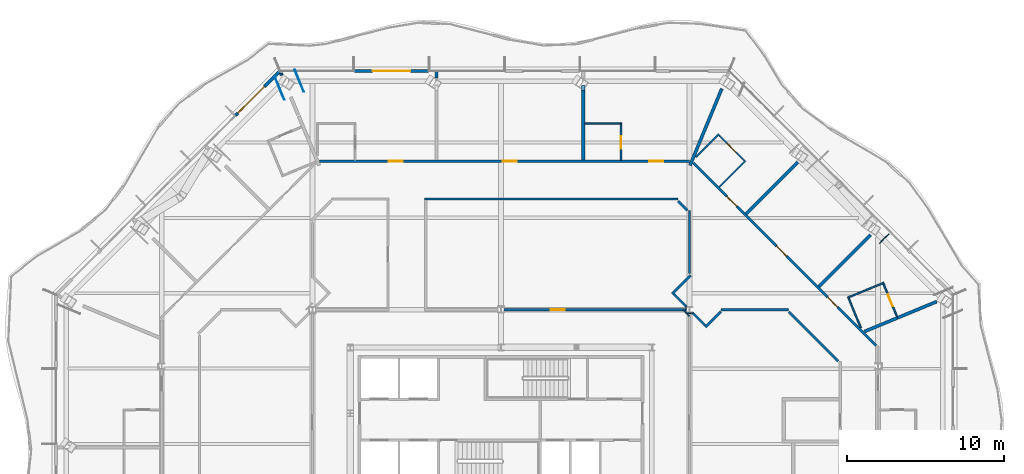
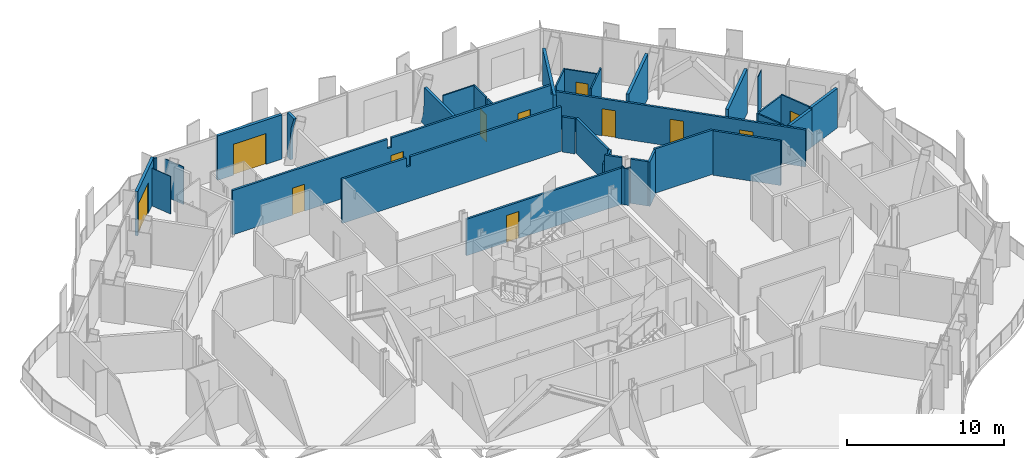
# One storey, part 13 of 22: 36 walls, 12 doors, 12 openings.
"""IFC4 building model written with IfcOpenShell, lengths in metres."""

from ifc_helpers import new_model, si_unit, direction, frame, frame_2d, origin, place, context, subcontext, project, spatial, polyline, rectangle, outline, extrude, material, layer, layer_set, type_object, element, fill, save


model = new_model("IFC4")

# Units and contexts
model_context = context("Model", 3, precision=1e-05, world=origin(), true_north=direction((0.0, 1.0)))
body_context = subcontext(model_context, "Body", "Model", "MODEL_VIEW")
ifc_project = project(units=[si_unit("LENGTHUNIT", "METRE"), si_unit("AREAUNIT", "SQUARE_METRE"), si_unit("VOLUMEUNIT", "CUBIC_METRE"), si_unit("PLANEANGLEUNIT", "RADIAN"), si_unit("MASSUNIT", "GRAM", prefix="KILO")], contexts=[model_context])

# Site, building, storey
site_placement = place(None, origin())
site = spatial("IfcSite", under=ifc_project, at=site_placement, CompositionType="ELEMENT")
building_placement = place(site_placement, origin())
building = spatial("IfcBuilding", under=site, at=building_placement, Name="Cairn Pilgrim Tower", CompositionType="ELEMENT")
storey_placement = place(building_placement, frame((0.0, 0.0, 175.800048828125)))
storey = spatial("IfcBuildingStorey", under=building, at=storey_placement, Name="L44", CompositionType="ELEMENT", Elevation=175.800048828125)

# Wall, opening, door
ifc_material_1 = material(Name="Bronze anodised aluminium insulated sandwich panel with mineral wool fill", Category="aluminium")
ifc_layer_1 = layer(ifc_material_1, 0.199951171875)
ifc_layer_set_1 = layer_set([ifc_layer_1], Name="BRONZE INFILL FRAME WALL 200")
wall_type_1 = type_object("IfcWallType", Name="BRONZE INFILL FRAME WALL 200", PredefinedType="NOTDEFINED", material=ifc_layer_set_1)
wall_1_placement = place(storey_placement, frame((2.594970703125, 28.39990234375, 0.0), z_axis=(0.0, 0.0, 1.0), x_axis=(-1.0, 0.0, 0.0)))
wall_1 = element("IfcWall", 1, at=wall_1_placement, inside=storey, type_object=wall_type_1, Name="Bronze infill frame wall IW-N5", PredefinedType="NOTDEFINED", context=body_context, shape_type="SweptSolid", body=[
    extrude(rectangle(XDim=4.739990234375, YDim=0.199951171875, at=frame_2d((2.3701171875, 0.0))), origin(), (0.0, 0.0, 1.0), 3.449951171875),
])
opening_1_placement = place(wall_1_placement, frame((1.170166015625, 0.0, 0.0)))
opening_1 = element("IfcOpeningElement", 2, at=opening_1_placement, cuts=wall_1, Name="Opening 4412B", PredefinedType="OPENING", context=body_context, shape_type="SweptSolid", body=[
    extrude(rectangle(XDim=2.39990234375, YDim=2.39990234375, at=frame_2d((1.199951171875, 1.199951171875))), frame((0.0, 0.10986328125, 0.0), z_axis=(0.0, -1.0, 0.0), x_axis=(1.0, 0.0, 0.0)), (0.0, 0.0, 1.0), 0.219970703125),
])
ifc_material_2 = material(Name="Bronze anodised aluminium frame with tinted low-E glass", Category="aluminium")
door_type_1 = type_object("IfcDoorType", Name="BALCONY SLIDING DOOR 2400x2400", OperationType="DOUBLE_DOOR_SLIDING", PredefinedType="DOOR", material=ifc_material_2)
door_1_placement = place(opening_1_placement, origin())
door_1 = element("IfcDoor", 3, at=door_1_placement, inside=storey, type_object=door_type_1, Name="Balcony sliding door 4412B", OperationType="SINGLE_SWING_LEFT", OverallHeight=2.39990234375, OverallWidth=2.39990234375, PredefinedType="DOOR", context=body_context, shape_type="SweptSolid", body=[
    extrude(rectangle(XDim=2.39990234375, YDim=2.39990234375, at=frame_2d((1.199951171875, 1.199951171875))), frame((0.0, 0.02490234375, 0.0), z_axis=(0.0, -1.0, 0.0), x_axis=(1.0, 0.0, 0.0)), (0.0, 0.0, 1.0), 0.050048828125),
])
fill(opening_1, door_1)

wall_2_placement = place(storey_placement, frame((-6.899658203125, 28.371826171875, 0.0), z_axis=(0.0, 0.0, 1.0), x_axis=(-0.707106781187, -0.707106781187, 0.0)))
wall_2 = element("IfcWall", 4, at=wall_2_placement, inside=storey, type_object=wall_type_1, Name="Bronze infill frame wall IW-NW1", PredefinedType="NOTDEFINED", context=body_context, shape_type="SweptSolid", body=[
    extrude(rectangle(XDim=3.961669921875, YDim=0.199951171875, at=frame_2d((1.98095703125, 0.0))), origin(), (0.0, 0.0, 1.0), 3.449951171875),
])
opening_2_placement = place(wall_2_placement, frame((1.361572265625, 0.0, 0.0)))
opening_2 = element("IfcOpeningElement", 5, at=opening_2_placement, cuts=wall_2, Name="Opening 4413B", PredefinedType="OPENING", context=body_context, shape_type="SweptSolid", body=[
    extrude(rectangle(XDim=2.39990234375, YDim=2.39990234375, at=frame_2d((1.199951171875, 1.199951171875))), frame((0.0, 0.10986328125, 0.0), z_axis=(0.0, -1.0, 0.0), x_axis=(1.0, 0.0, 0.0)), (0.0, 0.0, 1.0), 0.219970703125),
])
door_2_placement = place(opening_2_placement, origin())
door_2 = element("IfcDoor", 6, at=door_2_placement, inside=storey, type_object=door_type_1, Name="Balcony sliding door 4413B", OperationType="SINGLE_SWING_LEFT", OverallHeight=2.39990234375, OverallWidth=2.39990234375, PredefinedType="DOOR", context=body_context, shape_type="SweptSolid", body=[
    extrude(rectangle(XDim=2.39990234375, YDim=2.39990234375, at=frame_2d((1.199951171875, 1.199951171875))), frame((0.0, 0.02490234375, 0.0), z_axis=(0.0, -1.0, 0.0), x_axis=(1.0, 0.0, 0.0)), (0.0, 0.0, 1.0), 0.050048828125),
])
fill(opening_2, door_2)

# Wall
ifc_material_3 = material(Name="Gypsum partition")
ifc_layer_2 = layer(ifc_material_3, 0.10009765625)
ifc_layer_set_2 = layer_set([ifc_layer_2], Name="PARTITION 100 DRYWALL")
wall_type_2 = type_object("IfcWallType", Name="PARTITION 100 DRYWALL", PredefinedType="PARTITIONING", material=ifc_layer_set_2)
wall_3_placement = place(storey_placement, frame((30.10400390625, 12.0576171875, 0.0), z_axis=(0.0, 0.0, 1.0), x_axis=(-0.382627570994, 0.92390266907, 0.0)))
element("IfcWall", 7, at=wall_3_placement, inside=storey, type_object=wall_type_2, Name="PARTITION W077", PredefinedType="PARTITIONING", context=body_context, shape_type="SweptSolid", body=[
    extrude(rectangle(XDim=2.032958984375, YDim=0.10009765625, at=frame_2d((1.0166015625, 0.0))), origin(), (0.0, 0.0, 1.0), 2.8798828125),
])

# Wall, opening, door
wall_4_placement = place(storey_placement, frame((32.40380859375, 12.775390625, 0.0), z_axis=(0.0, 0.0, 1.0), x_axis=(-0.382572259818, 0.923925573852, 0.0)))
wall_4 = element("IfcWall", 8, at=wall_4_placement, inside=storey, type_object=wall_type_2, Name="PARTITION W082", PredefinedType="PARTITIONING", context=body_context, shape_type="SweptSolid", body=[
    extrude(rectangle(XDim=2.24951171875, YDim=0.10009765625, at=frame_2d((1.124755859375, 0.0))), origin(), (0.0, 0.0, 1.0), 3.070068359375),
])
opening_3_placement = place(wall_4_placement, frame((0.699951171875, 0.0, 0.0)))
opening_3 = element("IfcOpeningElement", 9, at=opening_3_placement, cuts=wall_4, Name="Opening 4407A", PredefinedType="OPENING", context=body_context, shape_type="SweptSolid", body=[
    extrude(rectangle(XDim=0.800048828125, YDim=2.10009765625, at=frame_2d((0.39990234375, 1.050048828125))), frame((0.0, 0.06005859375, 0.0), z_axis=(0.0, -1.0, 0.0), x_axis=(1.0, 0.0, 0.0)), (0.0, 0.0, 1.0), 0.1201171875),
])
ifc_material_4 = material(Name="Timber door leaf", Category="wood")
door_type_2 = type_object("IfcDoorType", Name="WC DOOR 800x2100", OperationType="NOTDEFINED", PredefinedType="DOOR", material=ifc_material_4)
door_3_placement = place(opening_3_placement, frame((0.800048828125, 0.0, 0.0), z_axis=(0.0, 0.0, 1.0), x_axis=(-1.0, 0.0, 0.0)))
door_3 = element("IfcDoor", 10, at=door_3_placement, inside=storey, type_object=door_type_2, Name="DOOR 4407A", OperationType="SINGLE_SWING_RIGHT", OverallHeight=2.10009765625, OverallWidth=0.800048828125, PredefinedType="DOOR", context=body_context, shape_type="SweptSolid", body=[
    extrude(rectangle(XDim=0.800048828125, YDim=2.10009765625, at=frame_2d((0.39990234375, 1.050048828125))), frame((0.0, 0.02490234375, 0.0), z_axis=(0.0, -1.0, 0.0), x_axis=(1.0, 0.0, 0.0)), (0.0, 0.0, 1.0), 0.050048828125),
])
fill(opening_3, door_3)

# Walls
wall_5_placement = place(storey_placement, frame((29.2607421875, 13.962890625, 0.0), z_axis=(0.0, 0.0, 1.0), x_axis=(0.923929949387, 0.382561692574, 0.0)))
element("IfcWall", 11, at=wall_5_placement, inside=storey, type_object=wall_type_2, Name="PARTITION W093", PredefinedType="PARTITIONING", context=body_context, shape_type="SweptSolid", body=[
    extrude(rectangle(XDim=2.499755859375, YDim=0.10009765625, at=frame_2d((1.25, 0.0))), origin(), (0.0, 0.0, 1.0), 2.929931640625),
])
wall_6_placement = place(storey_placement, frame((21.090087890625, 21.006103515625, 0.0), z_axis=(0.0, 0.0, 1.0), x_axis=(0.707106781187, 0.707106781187, 0.0)))
element("IfcWall", 12, at=wall_6_placement, inside=storey, type_object=wall_type_2, Name="PARTITION W109", PredefinedType="PARTITIONING", context=body_context, shape_type="SweptSolid", body=[
    extrude(rectangle(XDim=2.374755859375, YDim=0.10009765625, at=frame_2d((1.1875, 0.0))), origin(), (0.0, 0.0, 1.0), 3.449951171875),
])

# Wall, opening, door
wall_7_placement = place(storey_placement, frame((14.837890625, 22.72509765625, 0.0), z_axis=(0.0, 0.0, 1.0), x_axis=(0.0, 1.0, 0.0)))
wall_7 = element("IfcWall", 13, at=wall_7_placement, inside=storey, type_object=wall_type_2, Name="PARTITION W118", PredefinedType="PARTITIONING", context=body_context, shape_type="SweptSolid", body=[
    extrude(outline(polyline([(0.0, 0.0), (2.27490234375, 0.0), (2.27490234375, 3.449951171875), (0.780029296875, 3.449951171875), (0.778076171875, 2.8798828125), (0.570068359375, 2.8798828125), (0.568115234375, 3.449951171875), (0.0, 3.449951171875), (0.0, 0.0)])), frame((0.0, 0.050048828125, 0.0), z_axis=(0.0, -1.0, 0.0), x_axis=(1.0, 0.0, 0.0)), (0.0, 0.0, 1.0), 0.10009765625),
])
opening_4_placement = place(wall_7_placement, frame((0.72509765625, 0.0, 0.0)))
opening_4 = element("IfcOpeningElement", 14, at=opening_4_placement, cuts=wall_7, Name="Opening 4410A", PredefinedType="OPENING", context=body_context, shape_type="SweptSolid", body=[
    extrude(rectangle(XDim=0.800048828125, YDim=2.10009765625, at=frame_2d((0.39990234375, 1.050048828125))), frame((0.0, 0.06005859375, 0.0), z_axis=(0.0, -1.0, 0.0), x_axis=(1.0, 0.0, 0.0)), (0.0, 0.0, 1.0), 0.1201171875),
])
door_4_placement = place(opening_4_placement, frame((0.800048828125, 0.0, 0.0), z_axis=(0.0, 0.0, 1.0), x_axis=(-1.0, 0.0, 0.0)))
door_4 = element("IfcDoor", 15, at=door_4_placement, inside=storey, type_object=door_type_2, Name="DOOR 4410A", OperationType="SINGLE_SWING_LEFT", OverallHeight=2.10009765625, OverallWidth=0.800048828125, PredefinedType="DOOR", context=body_context, shape_type="SweptSolid", body=[
    extrude(rectangle(XDim=0.800048828125, YDim=2.10009765625, at=frame_2d((0.39990234375, 1.050048828125))), frame((0.0, 0.02490234375, 0.0), z_axis=(0.0, -1.0, 0.0), x_axis=(1.0, 0.0, 0.0)), (0.0, 0.0, 1.0), 0.050048828125),
])
fill(opening_4, door_4)

wall_8_placement = place(storey_placement, frame((22.698486328125, 22.685302734375, 0.0), z_axis=(0.0, 0.0, 1.0), x_axis=(-0.707053697085, 0.707159861304, 0.0)))
wall_8 = element("IfcWall", 16, at=wall_8_placement, inside=storey, type_object=wall_type_2, Name="PARTITION W119", PredefinedType="PARTITIONING", context=body_context, shape_type="SweptSolid", body=[
    extrude(rectangle(XDim=2.299560546875, YDim=0.10009765625, at=frame_2d((1.14990234375, 0.0))), origin(), (0.0, 0.0, 1.0), 2.97998046875),
])
opening_5_placement = place(wall_8_placement, frame((0.75, 0.0, 0.0)))
opening_5 = element("IfcOpeningElement", 17, at=opening_5_placement, cuts=wall_8, Name="Opening 4409A", PredefinedType="OPENING", context=body_context, shape_type="SweptSolid", body=[
    extrude(rectangle(XDim=0.800048828125, YDim=2.10009765625, at=frame_2d((0.39990234375, 1.050048828125))), frame((0.0, 0.06005859375, 0.0), z_axis=(0.0, -1.0, 0.0), x_axis=(1.0, 0.0, 0.0)), (0.0, 0.0, 1.0), 0.1201171875),
])
door_5_placement = place(opening_5_placement, frame((0.800048828125, 0.0, 0.0), z_axis=(0.0, 0.0, 1.0), x_axis=(-1.0, 0.0, 0.0)))
door_5 = element("IfcDoor", 18, at=door_5_placement, inside=storey, type_object=door_type_2, Name="DOOR 4409A", OperationType="SINGLE_SWING_RIGHT", OverallHeight=2.10009765625, OverallWidth=0.800048828125, PredefinedType="DOOR", context=body_context, shape_type="SweptSolid", body=[
    extrude(rectangle(XDim=0.800048828125, YDim=2.10009765625, at=frame_2d((0.39990234375, 1.050048828125))), frame((0.0, 0.02490234375, 0.0), z_axis=(0.0, -1.0, 0.0), x_axis=(1.0, 0.0, 0.0)), (0.0, 0.0, 1.0), 0.050048828125),
])
fill(opening_5, door_5)

# Walls
wall_9_placement = place(storey_placement, frame((19.610107421875, 22.920166015625, 0.0), z_axis=(0.0, 0.0, 1.0), x_axis=(0.707106781187, 0.707106781187, 0.0)))
element("IfcWall", 19, at=wall_9_placement, inside=storey, type_object=wall_type_2, Name="PARTITION W120", PredefinedType="PARTITIONING", context=body_context, shape_type="SweptSolid", body=[
    extrude(rectangle(XDim=2.06787109375, YDim=0.10009765625, at=frame_2d((1.033935546875, 0.0))), origin(), (0.0, 0.0, 1.0), 2.97998046875),
])
wall_10_placement = place(storey_placement, frame((12.5380859375, 25.050048828125, 0.0), z_axis=(0.0, 0.0, 1.0), x_axis=(1.0, 0.0, 0.0)))
element("IfcWall", 20, at=wall_10_placement, inside=storey, type_object=wall_type_2, Name="PARTITION W125", PredefinedType="PARTITIONING", context=body_context, shape_type="SweptSolid", body=[
    extrude(rectangle(XDim=2.349853515625, YDim=0.10009765625, at=frame_2d((1.1748046875, 0.0))), origin(), (0.0, 0.0, 1.0), 3.449951171875),
])
ifc_layer_3 = layer(ifc_material_3, 0.14990234375)
ifc_layer_set_3 = layer_set([ifc_layer_3], Name="PARTITION 150 DRYWALL EI 60")
wall_type_3 = type_object("IfcWallType", Name="PARTITION 150 DRYWALL EI 60", PredefinedType="PARTITIONING", material=ifc_layer_set_3)
wall_11_placement = place(storey_placement, frame((28.672119140625, 9.924072265625, 0.0), z_axis=(0.0, 0.0, 1.0), x_axis=(-0.707134199585, 0.707079361725, 0.0)))
element("IfcWall", 21, at=wall_11_placement, inside=storey, type_object=wall_type_3, Name="PARTITION W070", PredefinedType="PARTITIONING", context=body_context, shape_type="SweptSolid", body=[
    extrude(rectangle(XDim=4.4521484375, YDim=0.14990234375, at=frame_2d((2.22607421875, 0.0))), origin(), (0.0, 0.0, 1.0), 3.449951171875),
])

# Wall, openings, doors
wall_12_placement = place(storey_placement, frame((31.072021484375, 10.91796875, 0.0), z_axis=(0.0, 0.0, 1.0), x_axis=(-0.707106781187, 0.707106781187, 0.0)))
wall_12 = element("IfcWall", 22, at=wall_12_placement, inside=storey, type_object=wall_type_3, Name="PARTITION W071", PredefinedType="PARTITIONING", context=body_context, shape_type="SweptSolid", body=[
    extrude(rectangle(XDim=16.452392578125, YDim=0.14990234375, at=frame_2d((8.22607421875, 0.0))), origin(), (0.0, 0.0, 1.0), 2.8798828125),
])
opening_6_placement = place(wall_12_placement, frame((3.4619140625, 0.0, 0.0)))
opening_6 = element("IfcOpeningElement", 23, at=opening_6_placement, cuts=wall_12, Name="Opening 4407", PredefinedType="OPENING", context=body_context, shape_type="SweptSolid", body=[
    extrude(rectangle(XDim=0.89990234375, YDim=2.10009765625, at=frame_2d((0.449951171875, 1.050048828125))), frame((0.0, 0.0849609375, 0.0), z_axis=(0.0, -1.0, 0.0), x_axis=(1.0, 0.0, 0.0)), (0.0, 0.0, 1.0), 0.169921875),
])
opening_7_placement = place(wall_12_placement, frame((8.046142578125, 0.0, 0.0)))
opening_7 = element("IfcOpeningElement", 24, at=opening_7_placement, cuts=wall_12, Name="Opening 4408", PredefinedType="OPENING", context=body_context, shape_type="SweptSolid", body=[
    extrude(rectangle(XDim=0.89990234375, YDim=2.10009765625, at=frame_2d((0.449951171875, 1.050048828125))), frame((0.0, 0.0849609375, 0.0), z_axis=(0.0, -1.0, 0.0), x_axis=(1.0, 0.0, 0.0)), (0.0, 0.0, 1.0), 0.169921875),
])
opening_8_placement = place(wall_12_placement, frame((12.529541015625, 0.0, 0.0)))
opening_8 = element("IfcOpeningElement", 25, at=opening_8_placement, cuts=wall_12, Name="Opening 4409", PredefinedType="OPENING", context=body_context, shape_type="SweptSolid", body=[
    extrude(rectangle(XDim=0.89990234375, YDim=2.10009765625, at=frame_2d((0.449951171875, 1.050048828125))), frame((0.0, 0.0849609375, 0.0), z_axis=(0.0, -1.0, 0.0), x_axis=(1.0, 0.0, 0.0)), (0.0, 0.0, 1.0), 0.169921875),
])
door_type_3 = type_object("IfcDoorType", Name="ROOM DOOR 900x2100 FD30S", OperationType="NOTDEFINED", PredefinedType="DOOR", material=ifc_material_4)
door_6_placement = place(opening_6_placement, frame((0.89990234375, 0.0, 0.0), z_axis=(0.0, 0.0, 1.0), x_axis=(-1.0, 0.0, 0.0)))
door_6 = element("IfcDoor", 26, at=door_6_placement, inside=storey, type_object=door_type_3, Name="DOOR 4407", OperationType="SINGLE_SWING_RIGHT", OverallHeight=2.10009765625, OverallWidth=0.89990234375, PredefinedType="DOOR", context=body_context, shape_type="SweptSolid", body=[
    extrude(rectangle(XDim=0.89990234375, YDim=2.10009765625, at=frame_2d((0.449951171875, 1.050048828125))), frame((0.0, 0.02490234375, 0.0), z_axis=(0.0, -1.0, 0.0), x_axis=(1.0, 0.0, 0.0)), (0.0, 0.0, 1.0), 0.050048828125),
])
fill(opening_6, door_6)
door_7_placement = place(opening_8_placement, frame((0.89990234375, 0.0, 0.0), z_axis=(0.0, 0.0, 1.0), x_axis=(-1.0, 0.0, 0.0)))
door_7 = element("IfcDoor", 27, at=door_7_placement, inside=storey, type_object=door_type_3, Name="DOOR 4409", OperationType="SINGLE_SWING_RIGHT", OverallHeight=2.10009765625, OverallWidth=0.89990234375, PredefinedType="DOOR", context=body_context, shape_type="SweptSolid", body=[
    extrude(rectangle(XDim=0.89990234375, YDim=2.10009765625, at=frame_2d((0.449951171875, 1.050048828125))), frame((0.0, 0.02490234375, 0.0), z_axis=(0.0, -1.0, 0.0), x_axis=(1.0, 0.0, 0.0)), (0.0, 0.0, 1.0), 0.050048828125),
])
fill(opening_8, door_7)
door_type_4 = type_object("IfcDoorType", Name="SERVICE DOOR 900x2100 FD30S", OperationType="NOTDEFINED", PredefinedType="DOOR", material=ifc_material_4)
door_8_placement = place(opening_7_placement, frame((0.89990234375, 0.0, 0.0), z_axis=(0.0, 0.0, 1.0), x_axis=(-1.0, 0.0, 0.0)))
door_8 = element("IfcDoor", 28, at=door_8_placement, inside=storey, type_object=door_type_4, Name="DOOR 4408", OperationType="SINGLE_SWING_RIGHT", OverallHeight=2.10009765625, OverallWidth=0.89990234375, PredefinedType="DOOR", context=body_context, shape_type="SweptSolid", body=[
    extrude(rectangle(XDim=0.89990234375, YDim=2.10009765625, at=frame_2d((0.449951171875, 1.050048828125))), frame((0.0, 0.02490234375, 0.0), z_axis=(0.0, -1.0, 0.0), x_axis=(1.0, 0.0, 0.0)), (0.0, 0.0, 1.0), 0.050048828125),
])
fill(opening_7, door_8)

# Walls
wall_13_placement = place(storey_placement, frame((20.2080078125, 12.0859375, 0.0), z_axis=(0.0, 0.0, 1.0), x_axis=(0.706756381459, 0.707457007363, 0.0)))
element("IfcWall", 29, at=wall_13_placement, inside=storey, type_object=wall_type_3, Name="PARTITION W076", PredefinedType="PARTITIONING", context=body_context, shape_type="SweptSolid", body=[
    extrude(rectangle(XDim=1.393798828125, YDim=0.14990234375, at=frame_2d((0.69677734375, 0.0))), origin(), (0.0, 0.0, 1.0), 3.449951171875),
])
wall_14_placement = place(storey_placement, frame((20.2080078125, 12.192138671875, 0.0), z_axis=(0.0, 0.0, 1.0), x_axis=(-0.70721334539, 0.707000200921, 0.0)))
element("IfcWall", 30, at=wall_14_placement, inside=storey, type_object=wall_type_3, Name="PARTITION W079", PredefinedType="PARTITIONING", context=body_context, shape_type="SweptSolid", body=[
    extrude(rectangle(XDim=1.1455078125, YDim=0.14990234375, at=frame_2d((0.57275390625, 0.0))), origin(), (0.0, 0.0, 1.0), 3.449951171875),
])

# Wall, opening, door
wall_15_placement = place(storey_placement, frame((7.3994140625, 13.199951171875, 0.0), z_axis=(0.0, 0.0, 1.0), x_axis=(1.0, 0.0, 0.0)))
wall_15 = element("IfcWall", 31, at=wall_15_placement, inside=storey, type_object=wall_type_3, Name="PARTITION W086", PredefinedType="PARTITIONING", context=body_context, shape_type="SweptSolid", body=[
    extrude(rectangle(XDim=11.60107421875, YDim=0.14990234375, at=frame_2d((5.800537109375, 0.0))), origin(), (0.0, 0.0, 1.0), 2.829833984375),
])
opening_9_placement = place(wall_15_placement, frame((2.950439453125, 0.0, 0.0)))
opening_9 = element("IfcOpeningElement", 32, at=opening_9_placement, cuts=wall_15, Name="Opening 4427", PredefinedType="OPENING", context=body_context, shape_type="SweptSolid", body=[
    extrude(rectangle(XDim=0.89990234375, YDim=2.10009765625, at=frame_2d((0.449951171875, 1.050048828125))), frame((0.0, 0.0849609375, 0.0), z_axis=(0.0, -1.0, 0.0), x_axis=(1.0, 0.0, 0.0)), (0.0, 0.0, 1.0), 0.169921875),
])
door_9_placement = place(opening_9_placement, origin())
door_9 = element("IfcDoor", 33, at=door_9_placement, inside=storey, type_object=door_type_4, Name="DOOR 4427", OperationType="SINGLE_SWING_RIGHT", OverallHeight=2.10009765625, OverallWidth=0.89990234375, PredefinedType="DOOR", context=body_context, shape_type="SweptSolid", body=[
    extrude(rectangle(XDim=0.89990234375, YDim=2.10009765625, at=frame_2d((0.449951171875, 1.050048828125))), frame((0.0, 0.02490234375, 0.0), z_axis=(0.0, -1.0, 0.0), x_axis=(1.0, 0.0, 0.0)), (0.0, 0.0, 1.0), 0.050048828125),
])
fill(opening_9, door_9)

# Walls
wall_16_placement = place(storey_placement, frame((21.215087890625, 13.199951171875, 0.0), z_axis=(0.0, 0.0, 1.0), x_axis=(1.0, 0.0, 0.0)))
element("IfcWall", 34, at=wall_16_placement, inside=storey, type_object=wall_type_3, Name="PARTITION W087", PredefinedType="PARTITIONING", context=body_context, shape_type="SweptSolid", body=[
    extrude(rectangle(XDim=4.287109375, YDim=0.14990234375, at=frame_2d((2.1435546875, 0.0))), origin(), (0.0, 0.0, 1.0), 3.449951171875),
])
wall_17_placement = place(storey_placement, frame((19.001953125, 13.39794921875, 0.0), z_axis=(0.0, 0.0, 1.0), x_axis=(-0.707000200921, 0.70721334539, 0.0)))
element("IfcWall", 35, at=wall_17_placement, inside=storey, type_object=wall_type_3, Name="PARTITION W091", PredefinedType="PARTITIONING", context=body_context, shape_type="SweptSolid", body=[
    extrude(rectangle(XDim=1.1455078125, YDim=0.14990234375, at=frame_2d((0.57275390625, 0.0))), origin(), (0.0, 0.0, 1.0), 3.449951171875),
])
wall_18_placement = place(storey_placement, frame((18.0859375, 14.2080078125, 0.0), z_axis=(0.0, 0.0, 1.0), x_axis=(0.70739723372, 0.706816209298, 0.0)))
element("IfcWall", 36, at=wall_18_placement, inside=storey, type_object=wall_type_3, Name="PARTITION W094", PredefinedType="PARTITIONING", context=body_context, shape_type="SweptSolid", body=[
    extrude(rectangle(XDim=1.6806640625, YDim=0.14990234375, at=frame_2d((0.84033203125, 0.0))), origin(), (0.0, 0.0, 1.0), 2.72998046875),
])
wall_19_placement = place(storey_placement, frame((19.199951171875, 15.501953125, 0.0), z_axis=(0.0, 0.0, 1.0), x_axis=(0.0, 1.0, 0.0)))
element("IfcWall", 37, at=wall_19_placement, inside=storey, type_object=wall_type_3, Name="PARTITION W100", PredefinedType="PARTITIONING", context=body_context, shape_type="SweptSolid", body=[
    extrude(rectangle(XDim=4.0, YDim=0.14990234375, at=frame_2d((2.0, 0.0))), origin(), (0.0, 0.0, 1.0), 2.72998046875),
])
wall_20_placement = place(storey_placement, frame((19.072021484375, 19.52392578125, 0.0), z_axis=(0.0, 0.0, 1.0), x_axis=(-0.706962429495, 0.707251103415, 0.0)))
element("IfcWall", 38, at=wall_20_placement, inside=storey, type_object=wall_type_3, Name="PARTITION W105", PredefinedType="PARTITIONING", context=body_context, shape_type="SweptSolid", body=[
    extrude(rectangle(XDim=0.845703125, YDim=0.14990234375, at=frame_2d((0.4228515625, 0.0))), origin(), (0.0, 0.0, 1.0), 2.72998046875),
])
wall_21_placement = place(storey_placement, frame((2.324951171875, 20.25, 0.0), z_axis=(0.0, 0.0, 1.0), x_axis=(1.0, 0.0, 0.0)))
element("IfcWall", 39, at=wall_21_placement, inside=storey, type_object=wall_type_3, Name="PARTITION W108", PredefinedType="PARTITIONING", context=body_context, shape_type="SweptSolid", body=[
    extrude(outline(polyline([(0.0, 0.0), (16.127197265625, 0.0), (16.127197265625, 3.449951171875), (5.02490234375, 3.449951171875), (5.02294921875, 2.72998046875), (4.72509765625, 2.72998046875), (4.722900390625, 3.449951171875), (0.0, 3.449951171875), (0.0, 0.0)])), frame((0.0, 0.074951171875, 0.0), z_axis=(0.0, -1.0, 0.0), x_axis=(1.0, 0.0, 0.0)), (0.0, 0.0, 1.0), 0.14990234375),
])

# Wall, openings, doors
wall_22_placement = place(storey_placement, frame((-4.3505859375, 22.64990234375, 0.0), z_axis=(0.0, 0.0, 1.0), x_axis=(1.0, 0.0, 0.0)))
wall_22 = element("IfcWall", 40, at=wall_22_placement, inside=storey, type_object=wall_type_3, Name="PARTITION W114", PredefinedType="PARTITIONING", context=body_context, shape_type="SweptSolid", body=[
    extrude(outline(polyline([(0.0, 0.0), (23.55126953125, 0.0), (23.551513671875, 2.72998046875), (23.400634765625, 2.72998046875), (23.398681640625, 3.449951171875), (11.70068359375, 3.449951171875), (11.69873046875, 2.72998046875), (11.400634765625, 2.72998046875), (11.398681640625, 3.449951171875), (0.0, 3.449951171875), (0.0, 0.0)])), frame((0.0, 0.074951171875, 0.0), z_axis=(0.0, -1.0, 0.0), x_axis=(1.0, 0.0, 0.0)), (0.0, 0.0, 1.0), 0.14990234375),
])
opening_10_placement = place(wall_22_placement, frame((20.98974609375, 0.0, 0.0)))
opening_10 = element("IfcOpeningElement", 41, at=opening_10_placement, cuts=wall_22, Name="Opening 4410", PredefinedType="OPENING", context=body_context, shape_type="SweptSolid", body=[
    extrude(rectangle(XDim=0.89990234375, YDim=2.10009765625, at=frame_2d((0.449951171875, 1.050048828125))), frame((0.0, 0.0849609375, 0.0), z_axis=(0.0, -1.0, 0.0), x_axis=(1.0, 0.0, 0.0)), (0.0, 0.0, 1.0), 0.169921875),
])
opening_11_placement = place(wall_22_placement, frame((11.663818359375, 0.0, 0.0)))
opening_11 = element("IfcOpeningElement", 42, at=opening_11_placement, cuts=wall_22, Name="Opening 4411", PredefinedType="OPENING", context=body_context, shape_type="SweptSolid", body=[
    extrude(rectangle(XDim=0.89990234375, YDim=2.10009765625, at=frame_2d((0.449951171875, 1.050048828125))), frame((0.0, 0.0849609375, 0.0), z_axis=(0.0, -1.0, 0.0), x_axis=(1.0, 0.0, 0.0)), (0.0, 0.0, 1.0), 0.169921875),
])
opening_12_placement = place(wall_22_placement, frame((4.398681640625, 0.0, 0.0)))
opening_12 = element("IfcOpeningElement", 43, at=opening_12_placement, cuts=wall_22, Name="Opening 4412", PredefinedType="OPENING", context=body_context, shape_type="SweptSolid", body=[
    extrude(rectangle(XDim=0.89990234375, YDim=2.10009765625, at=frame_2d((0.449951171875, 1.050048828125))), frame((0.0, 0.0849609375, 0.0), z_axis=(0.0, -1.0, 0.0), x_axis=(1.0, 0.0, 0.0)), (0.0, 0.0, 1.0), 0.169921875),
])
door_10_placement = place(opening_10_placement, origin())
door_10 = element("IfcDoor", 44, at=door_10_placement, inside=storey, type_object=door_type_3, Name="DOOR 4410", OperationType="SINGLE_SWING_LEFT", OverallHeight=2.10009765625, OverallWidth=0.89990234375, PredefinedType="DOOR", context=body_context, shape_type="SweptSolid", body=[
    extrude(rectangle(XDim=0.89990234375, YDim=2.10009765625, at=frame_2d((0.449951171875, 1.050048828125))), frame((0.0, 0.02490234375, 0.0), z_axis=(0.0, -1.0, 0.0), x_axis=(1.0, 0.0, 0.0)), (0.0, 0.0, 1.0), 0.050048828125),
])
fill(opening_10, door_10)
door_11_placement = place(opening_12_placement, origin())
door_11 = element("IfcDoor", 45, at=door_11_placement, inside=storey, type_object=door_type_3, Name="DOOR 4412", OperationType="SINGLE_SWING_LEFT", OverallHeight=2.10009765625, OverallWidth=0.89990234375, PredefinedType="DOOR", context=body_context, shape_type="SweptSolid", body=[
    extrude(rectangle(XDim=0.89990234375, YDim=2.10009765625, at=frame_2d((0.449951171875, 1.050048828125))), frame((0.0, 0.02490234375, 0.0), z_axis=(0.0, -1.0, 0.0), x_axis=(1.0, 0.0, 0.0)), (0.0, 0.0, 1.0), 0.050048828125),
])
fill(opening_12, door_11)
door_12_placement = place(opening_11_placement, origin())
door_12 = element("IfcDoor", 46, at=door_12_placement, inside=storey, type_object=door_type_4, Name="DOOR 4411", OperationType="SINGLE_SWING_LEFT", OverallHeight=2.10009765625, OverallWidth=0.89990234375, PredefinedType="DOOR", context=body_context, shape_type="SweptSolid", body=[
    extrude(rectangle(XDim=0.89990234375, YDim=2.10009765625, at=frame_2d((0.449951171875, 1.050048828125))), frame((0.0, 0.02490234375, 0.0), z_axis=(0.0, -1.0, 0.0), x_axis=(1.0, 0.0, 0.0)), (0.0, 0.0, 1.0), 0.050048828125),
])
fill(opening_11, door_12)

# Walls
ifc_layer_4 = layer(ifc_material_3, 0.050048828125)
ifc_layer_set_4 = layer_set([ifc_layer_4], Name="PARTITION 50 DRYWALL EI 60")
wall_type_4 = type_object("IfcWallType", Name="PARTITION 50 DRYWALL EI 60", PredefinedType="PARTITIONING", material=ifc_layer_set_4)
wall_23_placement = place(storey_placement, frame((18.9755859375, 13.00341796875, 0.0), z_axis=(0.0, 0.0, 1.0), x_axis=(0.0, 1.0, 0.0)))
element("IfcWall", 47, at=wall_23_placement, inside=storey, type_object=wall_type_4, Name="COLUMN CASING WC26", PredefinedType="PARTITIONING", context=body_context, shape_type="SweptSolid", body=[
    extrude(rectangle(XDim=0.39306640625, YDim=0.050048828125, at=frame_2d((0.196533203125, 0.0))), origin(), (0.0, 0.0, 1.0), 2.829833984375),
])
wall_24_placement = place(storey_placement, frame((19.182373046875, 12.786376953125, 0.0), z_axis=(0.0, 0.0, 1.0), x_axis=(-0.707106781187, 0.707106781187, 0.0)))
element("IfcWall", 48, at=wall_24_placement, inside=storey, type_object=wall_type_4, Name="COLUMN CASING WC31", PredefinedType="PARTITIONING", context=body_context, shape_type="SweptSolid", body=[
    extrude(rectangle(XDim=0.56005859375, YDim=0.050048828125, at=frame_2d((0.280029296875, 0.0))), origin(), (0.0, 0.0, 1.0), 2.829833984375),
])
wall_25_placement = place(storey_placement, frame((19.00048828125, 12.978515625, 0.0), z_axis=(0.0, 0.0, 1.0), x_axis=(1.0, 0.0, 0.0)))
element("IfcWall", 49, at=wall_25_placement, inside=storey, type_object=wall_type_4, Name="COLUMN CASING WC36", PredefinedType="PARTITIONING", context=body_context, shape_type="SweptSolid", body=[
    extrude(rectangle(XDim=0.39892578125, YDim=0.050048828125, at=frame_2d((0.199462890625, 0.0))), origin(), (0.0, 0.0, 1.0), 2.829833984375),
])
wall_26_placement = place(storey_placement, frame((31.28515625, 17.416015625, 0.0), z_axis=(0.0, 0.0, 1.0), x_axis=(0.706966105416, 0.707247428976, 0.0)))
element("IfcWall", 50, at=wall_26_placement, inside=storey, type_object=wall_type_4, Name="COLUMN CASING WC37", PredefinedType="PARTITIONING", context=body_context, shape_type="SweptSolid", body=[
    extrude(rectangle(XDim=0.867919921875, YDim=0.050048828125, at=frame_2d((0.43408203125, 0.0))), origin(), (0.0, 0.0, 1.0), 2.929931640625),
])
for number, where, z_axis, x_axis, name in (
    (51, (-5.35400390625, 27.080078125, 0.0), (0.0, 0.0, 1.0), (-0.382697212295, 0.923873824557, 0.0), "COLUMN CASING WC46"),
    (52, (-6.593994140625, 26.56640625, 0.0), (0.0, 0.0, 1.0), (-0.382697212295, 0.923873824557, 0.0), "COLUMN CASING WC47"),
):
    element("IfcWall", number, at=place(storey_placement, frame(where, z_axis=z_axis, x_axis=x_axis)), inside=storey, type_object=wall_type_4, Name=name, PredefinedType="PARTITIONING", context=body_context, shape_type="SweptSolid", body=[
        extrude(rectangle(XDim=1.51904296875, YDim=0.050048828125, at=frame_2d((0.759521484375, 0.0))), origin(), (0.0, 0.0, 1.0), 2.929931640625),
    ])
ifc_layer_5 = layer(ifc_material_3, 0.199951171875)
ifc_layer_set_5 = layer_set([ifc_layer_5], Name="SHAFT WALL 200 GYPSUM EI 60")
wall_type_5 = type_object("IfcWallType", Name="SHAFT WALL 200 GYPSUM EI 60", PredefinedType="PARTITIONING", material=ifc_layer_set_5)
wall_27_placement = place(storey_placement, frame((30.33837890625, 11.81201171875, 0.0), z_axis=(0.0, 0.0, 1.0), x_axis=(0.923912287373, 0.38260434556, 0.0)))
element("IfcWall", 53, at=wall_27_placement, inside=storey, type_object=wall_type_5, Name="PARTITION W074", PredefinedType="PARTITIONING", context=body_context, shape_type="SweptSolid", body=[
    extrude(rectangle(XDim=2.27685546875, YDim=0.199951171875, at=frame_2d((1.138427734375, 0.0))), origin(), (0.0, 0.0, 1.0), 2.929931640625),
])
wall_28_placement = place(storey_placement, frame((32.44189453125, 12.68310546875, 0.0), z_axis=(0.0, 0.0, 1.0), x_axis=(0.923906649102, 0.382617960563, 0.0)))
element("IfcWall", 54, at=wall_28_placement, inside=storey, type_object=wall_type_5, Name="PARTITION W081", PredefinedType="PARTITIONING", context=body_context, shape_type="SweptSolid", body=[
    extrude(rectangle(XDim=2.700439453125, YDim=0.199951171875, at=frame_2d((1.35009765625, 0.0))), origin(), (0.0, 0.0, 1.0), 3.070068359375),
])
for number, where, z_axis, x_axis, name in (
    (55, (27.428955078125, 14.6669921875, 0.0), (0.0, 0.0, 1.0), (0.707028369139, 0.70718518454, 0.0), "PARTITION W096"),
    (56, (22.804931640625, 19.291015625, 0.0), (0.0, 0.0, 1.0), (0.707028369139, 0.70718518454, 0.0), "PARTITION W103"),
):
    element("IfcWall", number, at=place(storey_placement, frame(where, z_axis=z_axis, x_axis=x_axis)), inside=storey, type_object=wall_type_5, Name=name, PredefinedType="PARTITIONING", context=body_context, shape_type="SweptSolid", body=[
        extrude(rectangle(XDim=4.670654296875, YDim=0.199951171875, at=frame_2d((2.33544921875, 0.0))), origin(), (0.0, 0.0, 1.0), 3.449951171875),
    ])
wall_29_placement = place(storey_placement, frame((19.232177734375, 22.389404296875, 0.0), z_axis=(0.0, 0.0, 1.0), x_axis=(0.382645235891, 0.923895353084, 0.0)))
element("IfcWall", 57, at=wall_29_placement, inside=storey, type_object=wall_type_5, Name="PARTITION W113", PredefinedType="PARTITIONING", context=body_context, shape_type="SweptSolid", body=[
    extrude(rectangle(XDim=5.29052734375, YDim=0.199951171875, at=frame_2d((2.645263671875, 0.0))), origin(), (0.0, 0.0, 1.0), 2.72998046875),
])
wall_30_placement = place(storey_placement, frame((12.43798828125, 22.72509765625, 0.0), z_axis=(0.0, 0.0, 1.0), x_axis=(0.0, 1.0, 0.0)))
element("IfcWall", 58, at=wall_30_placement, inside=storey, type_object=wall_type_5, Name="PARTITION W117", PredefinedType="PARTITIONING", context=body_context, shape_type="SweptSolid", body=[
    extrude(outline(polyline([(0.0, 0.0), (4.765625, 0.0), (4.478271484375, 0.862548828125), (4.372802734375, 1.724853515625), (4.372802734375, 2.58740234375), (4.372802734375, 2.8798828125), (0.0, 2.8798828125), (0.0, 2.58740234375), (0.0, 1.724853515625), (0.0, 0.862548828125), (0.0, 0.0)])), frame((0.0, 0.10009765625, 0.0), z_axis=(0.0, -1.0, 0.0), x_axis=(1.0, 0.0, 0.0)), (0.0, 0.0, 1.0), 0.199951171875),
])
wall_31_placement = place(storey_placement, frame((3.0869140625, 27.498291015625, 0.0), z_axis=(0.0, 0.0, 1.0), x_axis=(0.0, 1.0, 0.0)))
element("IfcWall", 59, at=wall_31_placement, inside=storey, type_object=wall_type_5, Name="PARTITION W127", PredefinedType="PARTITIONING", context=body_context, shape_type="SweptSolid", body=[
    extrude(outline(polyline([(0.45361328125, 0.0), (0.8544921875, 0.0), (0.8544921875, 0.862548828125), (0.8544921875, 1.724853515625), (0.8544921875, 2.58740234375), (0.8544921875, 3.449951171875), (0.0, 3.449951171875), (0.32958984375, 2.58740234375), (0.4375, 1.724853515625), (0.45361328125, 0.862548828125), (0.45361328125, 0.0)])), frame((0.0, 0.10009765625, 0.0), z_axis=(0.0, -1.0, 0.0), x_axis=(1.0, 0.0, 0.0)), (0.0, 0.0, 1.0), 0.199951171875),
])
wall_32_placement = place(storey_placement, frame((-6.763916015625, 28.140380859375, 0.0), z_axis=(0.0, 0.0, 1.0), x_axis=(-0.38297496935, 0.923758720041, 0.0)))
element("IfcWall", 60, at=wall_32_placement, inside=storey, type_object=wall_type_5, Name="PARTITION W129", PredefinedType="PARTITIONING", context=body_context, shape_type="SweptSolid", body=[
    extrude(rectangle(XDim=0.126953125, YDim=0.199951171875, at=frame_2d((0.0634765625, 0.0))), origin(), (0.0, 0.0, 1.0), 3.449951171875),
])

save(model, "model.ifc")
